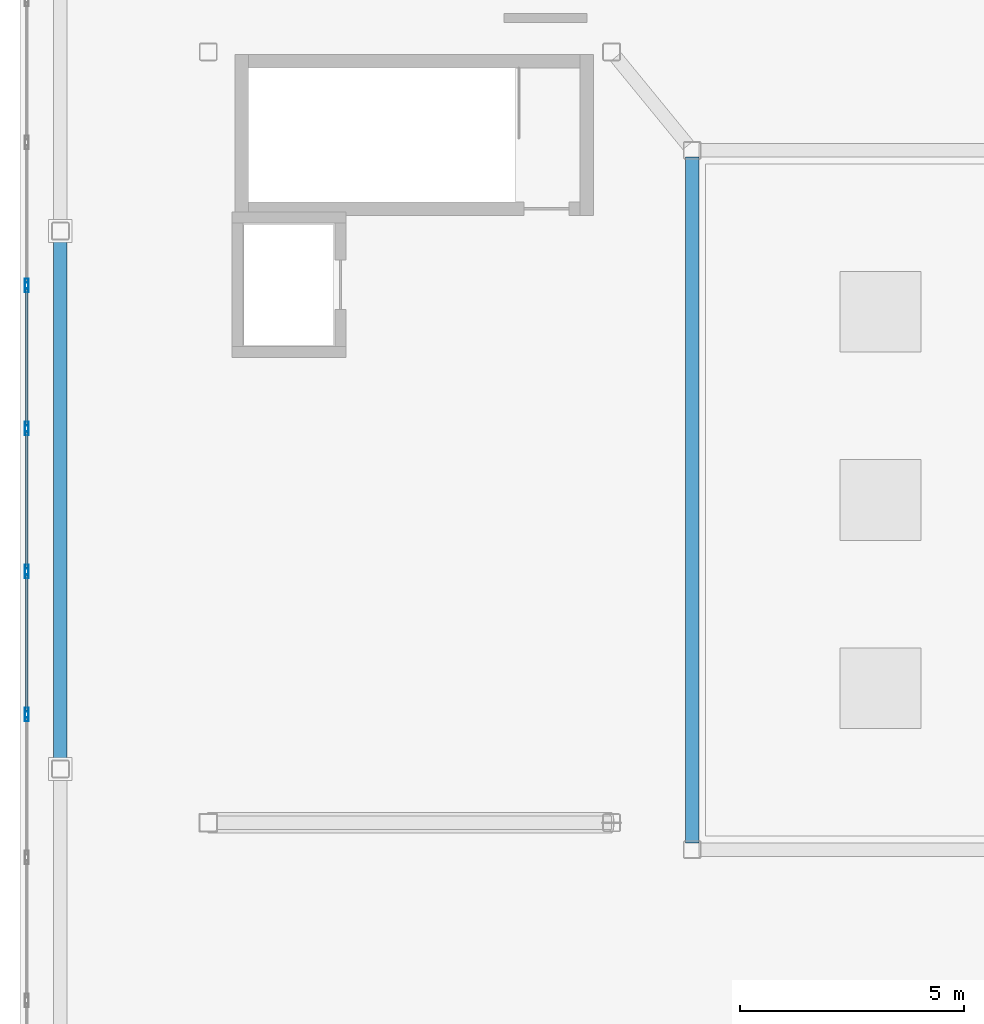
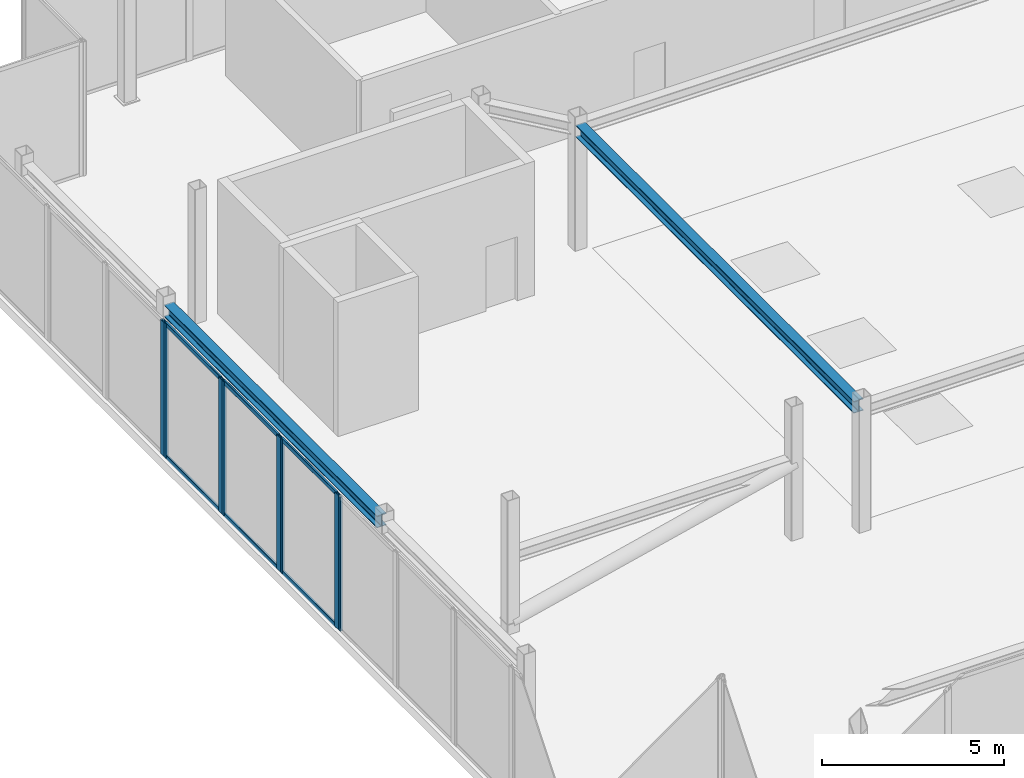
# One storey, part 5 of 18: 14 members, 2 beams, 5 elements without a shape of their own.
"""IFC4 building model written with IfcOpenShell, lengths in metres."""

from ifc_helpers import new_model, si_unit, direction, frame, origin, origin_2d, place, context, subcontext, project, spatial, hollow_rectangle, i_section, extrude, material, layer, layer_set, material_profile, profile_set, type_object, element, aggregate, save


model = new_model("IFC4")

# Units and contexts
model_context = context("Model", 3, precision=1e-05, world=origin(), true_north=direction((0.0, 1.0)))
body_context = subcontext(model_context, "Body", "Model", "MODEL_VIEW")
ifc_project = project(units=[si_unit("LENGTHUNIT", "METRE"), si_unit("AREAUNIT", "SQUARE_METRE"), si_unit("VOLUMEUNIT", "CUBIC_METRE"), si_unit("PLANEANGLEUNIT", "RADIAN"), si_unit("MASSUNIT", "GRAM", prefix="KILO")], contexts=[model_context])

# Site, building, storey
site_placement = place(None, origin())
site = spatial("IfcSite", under=ifc_project, at=site_placement, CompositionType="ELEMENT")
building_placement = place(site_placement, origin())
building = spatial("IfcBuilding", under=site, at=building_placement, Name="Tarnavaz Court Tower", CompositionType="ELEMENT")
storey_placement = place(building_placement, frame((0.0, 0.0, 281.550048828125)))
storey = spatial("IfcBuildingStorey", under=building, at=storey_placement, Name="C01", CompositionType="ELEMENT", Elevation=281.550048828125)

# Beams
ifc_material_1 = material(Name="Steel S355", Category="steel")
ifc_material_profile_1 = material_profile(ifc_material_1, i_section(OverallWidth=0.300048828125, OverallDepth=0.39990234375, WebThickness=0.013427734375, FlangeThickness=0.02392578125, FilletRadius=0.027099609375, at=origin_2d()), Name="HEB 400")
ifc_profile_set_1 = profile_set([ifc_material_profile_1], Name="Steel S355")
beam_type = type_object("IfcBeamType", Name="BM-G-HEB400", PredefinedType="USERDEFINED", material=ifc_profile_set_1)
beam_1_placement = place(storey_placement, frame((-7.800048828125, -7.64990234375, 4.0), z_axis=(0.0, 1.0, 0.0), x_axis=(-1.0, 0.0, 0.0)))
element("IfcBeam", 1, at=beam_1_placement, inside=storey, type_object=beam_type, Name="C01 Beam CRG-IW-SW-IW-NW", ObjectType="GIRDER", PredefinedType="USERDEFINED", context=body_context, shape_type="SweptSolid", body=[
    extrude(i_section(OverallWidth=0.300048828125, OverallDepth=0.39990234375, WebThickness=0.013427734375, FlangeThickness=0.02392578125, FilletRadius=0.027099609375, at=origin_2d()), origin(), (0.0, 0.0, 1.0), 15.2998046875),
])
beam_2_placement = place(storey_placement, frame((-21.89990234375, -5.85009765625, 4.0), z_axis=(0.0, 1.0, 0.0), x_axis=(-1.0, 0.0, 0.0)))
element("IfcBeam", 2, at=beam_2_placement, inside=storey, type_object=beam_type, Name="C01 Beam CRG-PW-2-PW-3", ObjectType="GIRDER", PredefinedType="USERDEFINED", context=body_context, shape_type="SweptSolid", body=[
    extrude(i_section(OverallWidth=0.300048828125, OverallDepth=0.39990234375, WebThickness=0.013427734375, FlangeThickness=0.02392578125, FilletRadius=0.027099609375, at=origin_2d()), origin(), (0.0, 0.0, 1.0), 11.7001953125),
])

# Curtain wall, member
ifc_material_2 = material(Name="Anodised Aluminium 6063-T6 and Solar Low-E Glazing", Category="aluminium")
ifc_layer = layer(ifc_material_2, 0.2099609375)
ifc_layer_set = layer_set([ifc_layer], Name="Anodised Aluminium 6063-T6 and Solar Low-E Glazing")
curtain_wall_type = type_object("IfcCurtainWallType", Name="CW-SYS-06", PredefinedType="NOTDEFINED", material=ifc_layer_set)
curtain_wall_1_placement = place(storey_placement, origin())
curtain_wall_1 = element("IfcCurtainWall", 3, at=curtain_wall_1_placement, inside=storey, type_object=curtain_wall_type, Name="C01 Slanted Crown Terracotta Curtain Wall 7", PredefinedType="NOTDEFINED")
ifc_material_3 = material(Name="Anodised Aluminium 6063-T6", Category="aluminium")
ifc_material_profile_2 = material_profile(ifc_material_3, hollow_rectangle(XDim=0.0849609375, YDim=0.219970703125, WallThickness=0.006103515625, InnerFilletRadius=0.006103515625, OuterFilletRadius=0.011962890625, at=origin_2d()), Name="ALU RHS 220X85X6")
ifc_profile_set_2 = profile_set([ifc_material_profile_2], Name="Anodised Aluminium 6063-T6")
member_type_1 = type_object("IfcMemberType", Name="CW-MUL-220", PredefinedType="MULLION", material=ifc_profile_set_2)
member_1_placement = place(storey_placement, frame((-22.64990234375, -4.828857421875, 0.0), z_axis=(0.0, 0.0, 1.0), x_axis=(-1.0, 0.0, 0.0)))
member_1 = element("IfcMember", 4, at=member_1_placement, type_object=member_type_1, Name="CW mullion 2", PredefinedType="MULLION", context=body_context, shape_type="SweptSolid", body=[
    extrude(hollow_rectangle(XDim=0.0849609375, YDim=0.219970703125, WallThickness=0.006103515625, InnerFilletRadius=0.006103515625, OuterFilletRadius=0.011962890625, at=origin_2d()), origin(), (0.0, 0.0, 1.0), 4.5),
])
aggregate(curtain_wall_1, [member_1])

# Curtain wall, members
curtain_wall_2_placement = place(storey_placement, origin())
curtain_wall_2 = element("IfcCurtainWall", 5, at=curtain_wall_2_placement, inside=storey, type_object=curtain_wall_type, Name="C01 Slanted Crown Terracotta Curtain Wall 8", PredefinedType="NOTDEFINED")
member_2_placement = place(storey_placement, frame((-22.64990234375, -4.743896484375, 0.0), z_axis=(0.0, 0.0, 1.0), x_axis=(-1.0, 0.0, 0.0)))
member_2 = element("IfcMember", 6, at=member_2_placement, type_object=member_type_1, Name="CW mullion 1", PredefinedType="MULLION", context=body_context, shape_type="SweptSolid", body=[
    extrude(hollow_rectangle(XDim=0.0849609375, YDim=0.219970703125, WallThickness=0.006103515625, InnerFilletRadius=0.006103515625, OuterFilletRadius=0.011962890625, at=origin_2d()), origin(), (0.0, 0.0, 1.0), 4.5),
])
member_3_placement = place(storey_placement, frame((-22.64990234375, -1.637939453125, 0.0), z_axis=(0.0, 0.0, 1.0), x_axis=(-1.0, 0.0, 0.0)))
member_3 = element("IfcMember", 7, at=member_3_placement, type_object=member_type_1, Name="CW mullion 2", PredefinedType="MULLION", context=body_context, shape_type="SweptSolid", body=[
    extrude(hollow_rectangle(XDim=0.0849609375, YDim=0.219970703125, WallThickness=0.006103515625, InnerFilletRadius=0.006103515625, OuterFilletRadius=0.011962890625, at=origin_2d()), origin(), (0.0, 0.0, 1.0), 4.5),
])

curtain_wall_3_placement = place(storey_placement, origin())
curtain_wall_3 = element("IfcCurtainWall", 8, at=curtain_wall_3_placement, inside=storey, type_object=curtain_wall_type, Name="C01 Slanted Crown Terracotta Curtain Wall 9", PredefinedType="NOTDEFINED")
member_4_placement = place(storey_placement, frame((-22.64990234375, -1.552978515625, 0.0), z_axis=(0.0, 0.0, 1.0), x_axis=(-1.0, 0.0, 0.0)))
member_4 = element("IfcMember", 9, at=member_4_placement, type_object=member_type_1, Name="CW mullion 1", PredefinedType="MULLION", context=body_context, shape_type="SweptSolid", body=[
    extrude(hollow_rectangle(XDim=0.0849609375, YDim=0.219970703125, WallThickness=0.006103515625, InnerFilletRadius=0.006103515625, OuterFilletRadius=0.011962890625, at=origin_2d()), origin(), (0.0, 0.0, 1.0), 4.5),
])
member_5_placement = place(storey_placement, frame((-22.64990234375, 1.552978515625, 0.0), z_axis=(0.0, 0.0, 1.0), x_axis=(-1.0, 0.0, 0.0)))
member_5 = element("IfcMember", 10, at=member_5_placement, type_object=member_type_1, Name="CW mullion 2", PredefinedType="MULLION", context=body_context, shape_type="SweptSolid", body=[
    extrude(hollow_rectangle(XDim=0.0849609375, YDim=0.219970703125, WallThickness=0.006103515625, InnerFilletRadius=0.006103515625, OuterFilletRadius=0.011962890625, at=origin_2d()), origin(), (0.0, 0.0, 1.0), 4.5),
])

curtain_wall_4_placement = place(storey_placement, origin())
curtain_wall_4 = element("IfcCurtainWall", 11, at=curtain_wall_4_placement, inside=storey, type_object=curtain_wall_type, Name="C01 Slanted Crown Terracotta Curtain Wall 10", PredefinedType="NOTDEFINED")
member_6_placement = place(storey_placement, frame((-22.64990234375, 1.637939453125, 0.0), z_axis=(0.0, 0.0, 1.0), x_axis=(-1.0, 0.0, 0.0)))
member_6 = element("IfcMember", 12, at=member_6_placement, type_object=member_type_1, Name="CW mullion 1", PredefinedType="MULLION", context=body_context, shape_type="SweptSolid", body=[
    extrude(hollow_rectangle(XDim=0.0849609375, YDim=0.219970703125, WallThickness=0.006103515625, InnerFilletRadius=0.006103515625, OuterFilletRadius=0.011962890625, at=origin_2d()), origin(), (0.0, 0.0, 1.0), 4.5),
])
member_7_placement = place(storey_placement, frame((-22.64990234375, 4.743896484375, 0.0), z_axis=(0.0, 0.0, 1.0), x_axis=(-1.0, 0.0, 0.0)))
member_7 = element("IfcMember", 13, at=member_7_placement, type_object=member_type_1, Name="CW mullion 2", PredefinedType="MULLION", context=body_context, shape_type="SweptSolid", body=[
    extrude(hollow_rectangle(XDim=0.0849609375, YDim=0.219970703125, WallThickness=0.006103515625, InnerFilletRadius=0.006103515625, OuterFilletRadius=0.011962890625, at=origin_2d()), origin(), (0.0, 0.0, 1.0), 4.5),
])

# Curtain wall, member
curtain_wall_5_placement = place(storey_placement, origin())
curtain_wall_5 = element("IfcCurtainWall", 14, at=curtain_wall_5_placement, inside=storey, type_object=curtain_wall_type, Name="C01 Slanted Crown Terracotta Curtain Wall 11", PredefinedType="NOTDEFINED")
member_8_placement = place(storey_placement, frame((-22.64990234375, 4.828857421875, 0.0), z_axis=(0.0, 0.0, 1.0), x_axis=(-1.0, 0.0, 0.0)))
member_8 = element("IfcMember", 15, at=member_8_placement, type_object=member_type_1, Name="CW mullion 1", PredefinedType="MULLION", context=body_context, shape_type="SweptSolid", body=[
    extrude(hollow_rectangle(XDim=0.0849609375, YDim=0.219970703125, WallThickness=0.006103515625, InnerFilletRadius=0.006103515625, OuterFilletRadius=0.011962890625, at=origin_2d()), origin(), (0.0, 0.0, 1.0), 4.5),
])
aggregate(curtain_wall_5, [member_8])

# Member
ifc_material_profile_3 = material_profile(ifc_material_3, hollow_rectangle(XDim=0.06494140625, YDim=0.139892578125, WallThickness=0.00390625, InnerFilletRadius=0.00390625, OuterFilletRadius=0.008056640625, at=origin_2d()), Name="ALU RHS 140X65X4")
ifc_profile_set_3 = profile_set([ifc_material_profile_3], Name="Anodised Aluminium 6063-T6")
member_type_2 = type_object("IfcMemberType", Name="CW-TRN-140", PredefinedType="USERDEFINED", material=ifc_profile_set_3)
member_9_placement = place(storey_placement, frame((-22.64990234375, -4.701416015625, 0.032470703125), z_axis=(0.0, 1.0, 0.0), x_axis=(-1.0, 0.0, 0.0)))
member_9 = element("IfcMember", 16, at=member_9_placement, type_object=member_type_2, Name="CW transom 1.1", ObjectType="TRANSOM", PredefinedType="USERDEFINED", context=body_context, shape_type="SweptSolid", body=[
    extrude(hollow_rectangle(XDim=0.06494140625, YDim=0.139892578125, WallThickness=0.00390625, InnerFilletRadius=0.00390625, OuterFilletRadius=0.008056640625, at=origin_2d()), origin(), (0.0, 0.0, 1.0), 3.02099609375),
])

member_10_placement = place(storey_placement, frame((-22.64990234375, -4.701416015625, 4.467529296875), z_axis=(0.0, 1.0, 0.0), x_axis=(-1.0, 0.0, 0.0)))
member_10 = element("IfcMember", 17, at=member_10_placement, type_object=member_type_2, Name="CW transom 1.2", ObjectType="TRANSOM", PredefinedType="USERDEFINED", context=body_context, shape_type="SweptSolid", body=[
    extrude(hollow_rectangle(XDim=0.06494140625, YDim=0.139892578125, WallThickness=0.00390625, InnerFilletRadius=0.00390625, OuterFilletRadius=0.008056640625, at=origin_2d()), origin(), (0.0, 0.0, 1.0), 3.02099609375),
])

aggregate(curtain_wall_2, [member_2, member_3, member_9, member_10])

member_11_placement = place(storey_placement, frame((-22.64990234375, -1.510498046875, 0.032470703125), z_axis=(0.0, 1.0, 0.0), x_axis=(-1.0, 0.0, 0.0)))
member_11 = element("IfcMember", 18, at=member_11_placement, type_object=member_type_2, Name="CW transom 1.1", ObjectType="TRANSOM", PredefinedType="USERDEFINED", context=body_context, shape_type="SweptSolid", body=[
    extrude(hollow_rectangle(XDim=0.06494140625, YDim=0.139892578125, WallThickness=0.00390625, InnerFilletRadius=0.00390625, OuterFilletRadius=0.008056640625, at=origin_2d()), origin(), (0.0, 0.0, 1.0), 3.02099609375),
])

member_12_placement = place(storey_placement, frame((-22.64990234375, -1.510498046875, 4.467529296875), z_axis=(0.0, 1.0, 0.0), x_axis=(-1.0, 0.0, 0.0)))
member_12 = element("IfcMember", 19, at=member_12_placement, type_object=member_type_2, Name="CW transom 1.2", ObjectType="TRANSOM", PredefinedType="USERDEFINED", context=body_context, shape_type="SweptSolid", body=[
    extrude(hollow_rectangle(XDim=0.06494140625, YDim=0.139892578125, WallThickness=0.00390625, InnerFilletRadius=0.00390625, OuterFilletRadius=0.008056640625, at=origin_2d()), origin(), (0.0, 0.0, 1.0), 3.02099609375),
])

aggregate(curtain_wall_3, [member_4, member_5, member_11, member_12])

member_13_placement = place(storey_placement, frame((-22.64990234375, 1.680419921875, 0.032470703125), z_axis=(0.0, 1.0, 0.0), x_axis=(-1.0, 0.0, 0.0)))
member_13 = element("IfcMember", 20, at=member_13_placement, type_object=member_type_2, Name="CW transom 1.1", ObjectType="TRANSOM", PredefinedType="USERDEFINED", context=body_context, shape_type="SweptSolid", body=[
    extrude(hollow_rectangle(XDim=0.06494140625, YDim=0.139892578125, WallThickness=0.00390625, InnerFilletRadius=0.00390625, OuterFilletRadius=0.008056640625, at=origin_2d()), origin(), (0.0, 0.0, 1.0), 3.02099609375),
])

member_14_placement = place(storey_placement, frame((-22.64990234375, 1.680419921875, 4.467529296875), z_axis=(0.0, 1.0, 0.0), x_axis=(-1.0, 0.0, 0.0)))
member_14 = element("IfcMember", 21, at=member_14_placement, type_object=member_type_2, Name="CW transom 1.2", ObjectType="TRANSOM", PredefinedType="USERDEFINED", context=body_context, shape_type="SweptSolid", body=[
    extrude(hollow_rectangle(XDim=0.06494140625, YDim=0.139892578125, WallThickness=0.00390625, InnerFilletRadius=0.00390625, OuterFilletRadius=0.008056640625, at=origin_2d()), origin(), (0.0, 0.0, 1.0), 3.02099609375),
])

aggregate(curtain_wall_4, [member_6, member_7, member_13, member_14])

save(model, "model.ifc")
